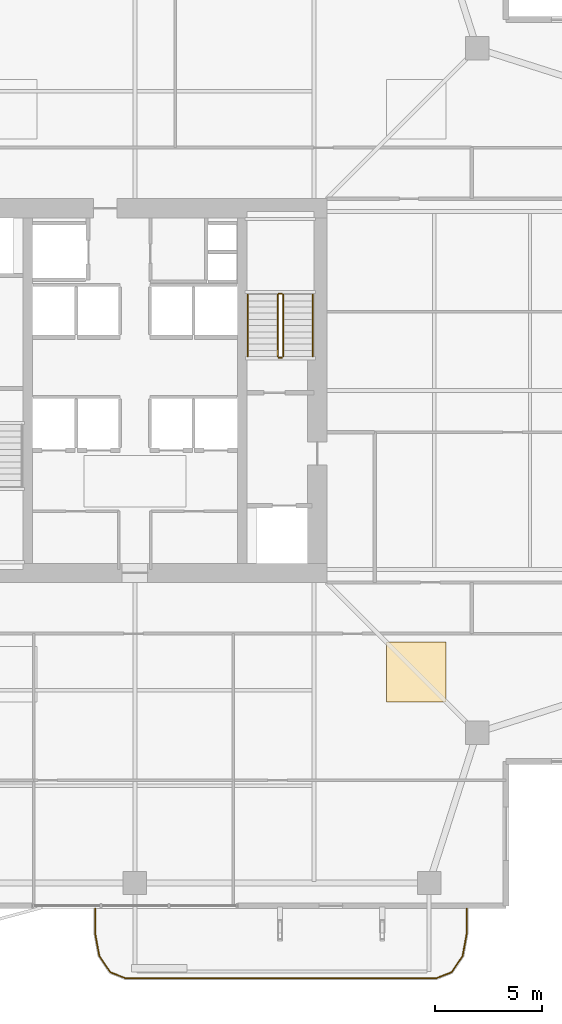
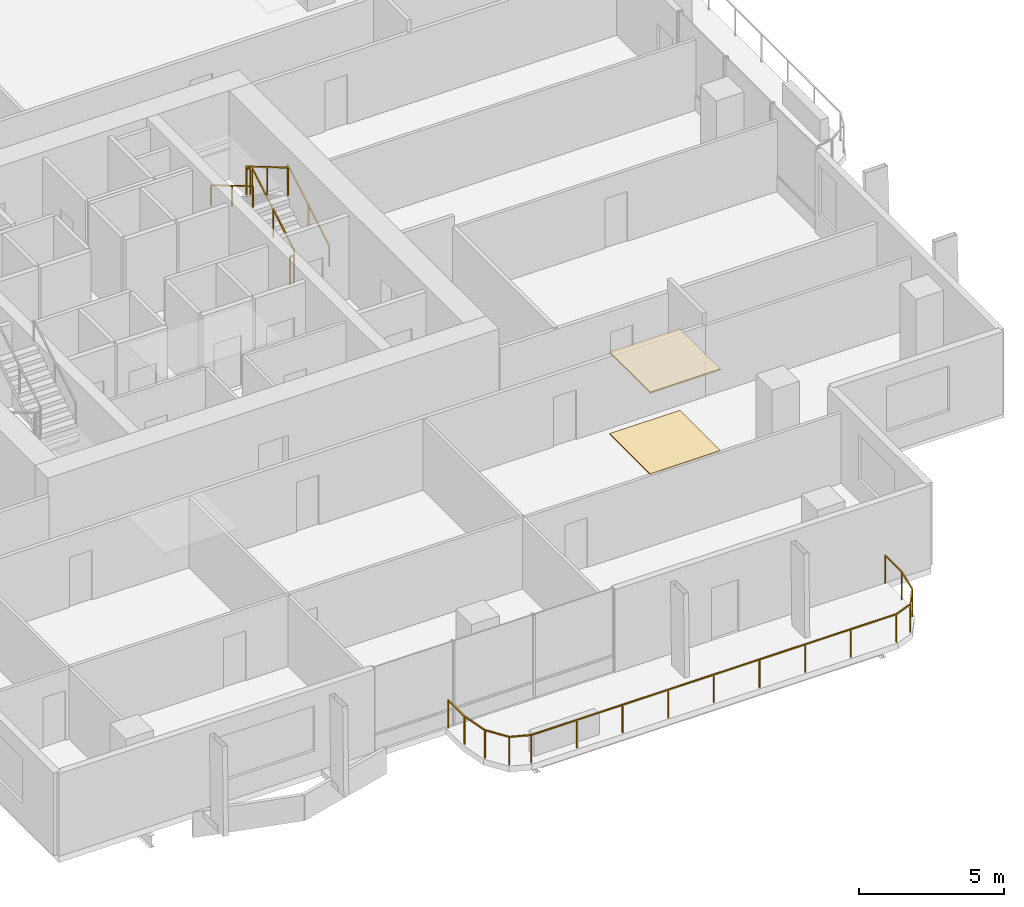
# One storey, part 23 of 24: 7 railings, 2 coverings.
"""IFC4 building model written with IfcOpenShell, lengths in metres."""

from ifc_helpers import new_model, si_unit, direction, frame, origin, origin_2d, place, context, subcontext, project, spatial, polyline, rectangle, outline, extrude, material, layer, layer_set, type_object, element, save


model = new_model("IFC4")

# Units and contexts
model_context = context("Model", 3, precision=1e-05, world=origin(), true_north=direction((0.0, 1.0)))
body_context = subcontext(model_context, "Body", "Model", "MODEL_VIEW")
ifc_project = project(units=[si_unit("LENGTHUNIT", "METRE"), si_unit("AREAUNIT", "SQUARE_METRE"), si_unit("VOLUMEUNIT", "CUBIC_METRE"), si_unit("PLANEANGLEUNIT", "RADIAN"), si_unit("MASSUNIT", "GRAM", prefix="KILO")], contexts=[model_context])

# Site, building, storey
site_placement = place(None, origin())
site = spatial("IfcSite", under=ifc_project, at=site_placement, CompositionType="ELEMENT")
building_placement = place(site_placement, origin())
building = spatial("IfcBuilding", under=site, at=building_placement, Name="Belovzor Exchange Tower", CompositionType="ELEMENT")
storey_placement = place(building_placement, frame((0.0, 0.0, 168.300048828125)))
storey = spatial("IfcBuildingStorey", under=building, at=storey_placement, Name="L41", CompositionType="ELEMENT", Elevation=168.300048828125)

# Railings
ifc_material_1 = material(Name="Stainless Steel Grade 304", Category="steel")
railing_type_1 = type_object("IfcRailingType", Name="Brushed Stainless Steel Stair Handrail 900", PredefinedType="HANDRAIL", material=ifc_material_1)
railing_1_placement = place(storey_placement, frame((37.14990234375, 30.39990234375, 0.17041015625)))
element("IfcRailing", 1, at=railing_1_placement, inside=storey, type_object=railing_type_1, Name="L41 ST-2 stair handrail 1", PredefinedType="HANDRAIL", context=body_context, shape_type="SweptSolid", body=[
    extrude(rectangle(XDim=0.048095703125, YDim=0.048095703125, at=origin_2d()), frame((0.0, 0.0, 0.8759765625), z_axis=(0.0, 0.862113265706, 0.506715617574), x_axis=(-1.0, 0.0, 0.0)), (0.0, 0.0, 1.0), 3.364013671875),
    extrude(rectangle(XDim=0.0419921875, YDim=0.0419921875, at=origin_2d()), origin(), (0.0, 0.0, 1.0), 0.851806640625),
    extrude(rectangle(XDim=0.0419921875, YDim=0.0419921875, at=origin_2d()), frame((0.0, 1.4501953125, 0.852294921875)), (0.0, 0.0, 1.0), 0.851806640625),
    extrude(rectangle(XDim=0.0419921875, YDim=0.0419921875, at=origin_2d()), frame((0.0, 2.900146484375, 1.70458984375)), (0.0, 0.0, 1.0), 0.851806640625),
])
railing_2_placement = place(storey_placement, frame((34.10009765625, 33.300048828125, 2.04541015625)))
element("IfcRailing", 2, at=railing_2_placement, inside=storey, type_object=railing_type_1, Name="L41 ST-2 stair handrail 2", PredefinedType="HANDRAIL", context=body_context, shape_type="SweptSolid", body=[
    extrude(rectangle(XDim=0.048095703125, YDim=0.048095703125, at=origin_2d()), frame((0.0, 0.0, 0.8759765625), z_axis=(0.0, -0.862113265706, 0.506715617574), x_axis=(1.0, 0.0, 0.0)), (0.0, 0.0, 1.0), 3.364013671875),
    extrude(rectangle(XDim=0.0419921875, YDim=0.0419921875, at=origin_2d()), origin(), (0.0, 0.0, 1.0), 0.851806640625),
    extrude(rectangle(XDim=0.0419921875, YDim=0.0419921875, at=origin_2d()), frame((0.0, -1.4501953125, 0.852294921875)), (0.0, 0.0, 1.0), 0.851806640625),
    extrude(rectangle(XDim=0.0419921875, YDim=0.0419921875, at=origin_2d()), frame((0.0, -2.900146484375, 1.70458984375)), (0.0, 0.0, 1.0), 0.851806640625),
])
ifc_material_2 = material(Name="Stainless Steel and Laminated Safety Glass", Category="steel")
railing_type_2 = type_object("IfcRailingType", Name="Laminated Glass & Stainless Steel Balcony Balustrade 1200", PredefinedType="BALUSTRADE", material=ifc_material_2)
railing_3_placement = place(storey_placement, frame((26.929931640625, 4.489990234375, 0.0)))
element("IfcRailing", 3, at=railing_3_placement, inside=storey, type_object=railing_type_2, Name="GR-1 Balcony Balustrade L41 South", PredefinedType="BALUSTRADE", context=body_context, shape_type="SweptSolid", body=[
    extrude(rectangle(XDim=0.048095703125, YDim=0.048095703125, at=origin_2d()), frame((0.0, 0.0, 1.17578125), z_axis=(0.0, -1.0, 0.0), x_axis=(1.0, 0.0, 0.0)), (0.0, 0.0, 1.0), 1.133056640625),
    extrude(rectangle(XDim=0.048095703125, YDim=0.048095703125, at=origin_2d()), frame((0.0, -1.133056640625, 1.17578125), z_axis=(0.180122719713, -0.983644145941, 0.0), x_axis=(0.983644145941, 0.180122719713, 0.0)), (0.0, 0.0, 1.0), 1.09375),
    extrude(rectangle(XDim=0.048095703125, YDim=0.048095703125, at=origin_2d()), frame((0.197021484375, -2.208984375, 1.17578125), z_axis=(0.56294695933, -0.826493025367, 0.0), x_axis=(0.826493025367, 0.56294695933, 0.0)), (0.0, 0.0, 1.0), 0.932861328125),
    extrude(rectangle(XDim=0.048095703125, YDim=0.048095703125, at=origin_2d()), frame((0.72216796875, -2.97998046875, 1.17578125), z_axis=(0.930766990125, -0.365612923861, 0.0), x_axis=(0.365612923861, 0.930766990125, 0.0)), (0.0, 0.0, 1.0), 0.765869140625),
    extrude(rectangle(XDim=0.048095703125, YDim=0.048095703125, at=origin_2d()), frame((1.43505859375, -3.260009765625, 1.17578125), z_axis=(1.0, 0.0, 0.0), x_axis=(0.0, 1.0, 0.0)), (0.0, 0.0, 1.0), 14.570068359375),
    extrude(rectangle(XDim=0.048095703125, YDim=0.048095703125, at=origin_2d()), frame((16.005126953125, -3.260009765625, 1.17578125), z_axis=(0.930766990125, 0.365612923861, 0.0), x_axis=(-0.365612923861, 0.930766990125, 0.0)), (0.0, 0.0, 1.0), 0.765869140625),
    extrude(rectangle(XDim=0.048095703125, YDim=0.048095703125, at=origin_2d()), frame((16.718017578125, -2.97998046875, 1.17578125), z_axis=(0.56294695933, 0.826493025367, 0.0), x_axis=(-0.826493025367, 0.56294695933, 0.0)), (0.0, 0.0, 1.0), 0.932861328125),
    extrude(rectangle(XDim=0.048095703125, YDim=0.048095703125, at=origin_2d()), frame((17.2431640625, -2.208984375, 1.17578125), z_axis=(0.180122719713, 0.983644145941, 0.0), x_axis=(-0.983644145941, 0.180122719713, 0.0)), (0.0, 0.0, 1.0), 1.09375),
    extrude(rectangle(XDim=0.048095703125, YDim=0.048095703125, at=origin_2d()), frame((17.440185546875, -1.133056640625, 1.17578125), z_axis=(0.0, 1.0, 0.0), x_axis=(-1.0, 0.0, 0.0)), (0.0, 0.0, 1.0), 1.133056640625),
    extrude(rectangle(XDim=0.0419921875, YDim=0.0419921875, at=origin_2d()), origin(), (0.0, 0.0, 1.0), 1.15185546875),
    extrude(rectangle(XDim=0.0419921875, YDim=0.0419921875, at=origin_2d()), frame((0.0, -1.133056640625, 0.0)), (0.0, 0.0, 1.0), 1.15185546875),
    extrude(rectangle(XDim=0.0419921875, YDim=0.0419921875, at=origin_2d()), frame((0.197021484375, -2.208984375, 0.0)), (0.0, 0.0, 1.0), 1.15185546875),
    extrude(rectangle(XDim=0.0419921875, YDim=0.0419921875, at=origin_2d()), frame((0.72216796875, -2.97998046875, 0.0)), (0.0, 0.0, 1.0), 1.15185546875),
    extrude(rectangle(XDim=0.0419921875, YDim=0.0419921875, at=origin_2d()), frame((1.43505859375, -3.260009765625, 0.0)), (0.0, 0.0, 1.0), 1.15185546875),
    extrude(rectangle(XDim=0.0419921875, YDim=0.0419921875, at=origin_2d()), frame((3.25634765625, -3.260009765625, 0.0)), (0.0, 0.0, 1.0), 1.15185546875),
    extrude(rectangle(XDim=0.0419921875, YDim=0.0419921875, at=origin_2d()), frame((5.07763671875, -3.260009765625, 0.0)), (0.0, 0.0, 1.0), 1.15185546875),
    extrude(rectangle(XDim=0.0419921875, YDim=0.0419921875, at=origin_2d()), frame((6.89892578125, -3.260009765625, 0.0)), (0.0, 0.0, 1.0), 1.15185546875),
    extrude(rectangle(XDim=0.0419921875, YDim=0.0419921875, at=origin_2d()), frame((8.72021484375, -3.260009765625, 0.0)), (0.0, 0.0, 1.0), 1.15185546875),
    extrude(rectangle(XDim=0.0419921875, YDim=0.0419921875, at=origin_2d()), frame((10.541259765625, -3.260009765625, 0.0)), (0.0, 0.0, 1.0), 1.15185546875),
    extrude(rectangle(XDim=0.0419921875, YDim=0.0419921875, at=origin_2d()), frame((12.362548828125, -3.260009765625, 0.0)), (0.0, 0.0, 1.0), 1.15185546875),
    extrude(rectangle(XDim=0.0419921875, YDim=0.0419921875, at=origin_2d()), frame((14.183837890625, -3.260009765625, 0.0)), (0.0, 0.0, 1.0), 1.15185546875),
    extrude(rectangle(XDim=0.0419921875, YDim=0.0419921875, at=origin_2d()), frame((16.005126953125, -3.260009765625, 0.0)), (0.0, 0.0, 1.0), 1.15185546875),
    extrude(rectangle(XDim=0.0419921875, YDim=0.0419921875, at=origin_2d()), frame((16.718017578125, -2.97998046875, 0.0)), (0.0, 0.0, 1.0), 1.15185546875),
    extrude(rectangle(XDim=0.0419921875, YDim=0.0419921875, at=origin_2d()), frame((17.2431640625, -2.208984375, 0.0)), (0.0, 0.0, 1.0), 1.15185546875),
    extrude(rectangle(XDim=0.0419921875, YDim=0.0419921875, at=origin_2d()), frame((17.440185546875, -1.133056640625, 0.0)), (0.0, 0.0, 1.0), 1.15185546875),
    extrude(rectangle(XDim=0.0419921875, YDim=0.0419921875, at=origin_2d()), frame((17.440185546875, 0.0, 0.0)), (0.0, 0.0, 1.0), 1.15185546875),
])
ifc_material_3 = material(Name="Steel S355", Category="steel")
railing_type_3 = type_object("IfcRailingType", Name="Painted Steel Stairwell Guardrail 1200", PredefinedType="GUARDRAIL", material=ifc_material_3)
railing_4_placement = place(storey_placement, frame((35.75, 30.39990234375, 0.17041015625)))
element("IfcRailing", 4, at=railing_4_placement, inside=storey, type_object=railing_type_3, Name="L41 ST-2 stair guard 1", PredefinedType="GUARDRAIL", context=body_context, shape_type="SweptSolid", body=[
    extrude(rectangle(XDim=0.048095703125, YDim=0.048095703125, at=origin_2d()), frame((0.0, 0.0, 1.17578125), z_axis=(0.0, 0.862113265706, 0.506715617574), x_axis=(-1.0, 0.0, 0.0)), (0.0, 0.0, 1.0), 3.364013671875),
    extrude(rectangle(XDim=0.0419921875, YDim=0.0419921875, at=origin_2d()), origin(), (0.0, 0.0, 1.0), 1.15185546875),
    extrude(rectangle(XDim=0.0419921875, YDim=0.0419921875, at=origin_2d()), frame((0.0, 1.4501953125, 0.852294921875)), (0.0, 0.0, 1.0), 1.15185546875),
    extrude(rectangle(XDim=0.0419921875, YDim=0.0419921875, at=origin_2d()), frame((0.0, 2.900146484375, 1.70458984375)), (0.0, 0.0, 1.0), 1.15185546875),
])
railing_5_placement = place(storey_placement, frame((35.699951171875, 33.35009765625, 1.875)))
element("IfcRailing", 5, at=railing_5_placement, inside=storey, type_object=railing_type_3, Name="L41 ST-2 stair guard 2", PredefinedType="GUARDRAIL", context=body_context, shape_type="SweptSolid", body=[
    extrude(rectangle(XDim=0.048095703125, YDim=0.048095703125, at=origin_2d()), frame((0.0, 0.0, 1.17578125), z_axis=(-1.0, 0.0, 0.0), x_axis=(0.0, -1.0, 0.0)), (0.0, 0.0, 1.0), 0.14990234375),
    extrude(rectangle(XDim=0.0419921875, YDim=0.0419921875, at=origin_2d()), origin(), (0.0, 0.0, 1.0), 1.15185546875),
    extrude(rectangle(XDim=0.0419921875, YDim=0.0419921875, at=origin_2d()), frame((-0.14990234375, 0.0, 0.0)), (0.0, 0.0, 1.0), 1.15185546875),
])
railing_6_placement = place(storey_placement, frame((35.5, 33.300048828125, 2.04541015625)))
element("IfcRailing", 6, at=railing_6_placement, inside=storey, type_object=railing_type_3, Name="L41 ST-2 stair guard 3", PredefinedType="GUARDRAIL", context=body_context, shape_type="SweptSolid", body=[
    extrude(rectangle(XDim=0.048095703125, YDim=0.048095703125, at=origin_2d()), frame((0.0, 0.0, 1.17578125), z_axis=(0.0, -0.862113265706, 0.506715617574), x_axis=(1.0, 0.0, 0.0)), (0.0, 0.0, 1.0), 3.364013671875),
    extrude(rectangle(XDim=0.0419921875, YDim=0.0419921875, at=origin_2d()), origin(), (0.0, 0.0, 1.0), 1.15185546875),
    extrude(rectangle(XDim=0.0419921875, YDim=0.0419921875, at=origin_2d()), frame((0.0, -1.4501953125, 0.852294921875)), (0.0, 0.0, 1.0), 1.15185546875),
    extrude(rectangle(XDim=0.0419921875, YDim=0.0419921875, at=origin_2d()), frame((0.0, -2.900146484375, 1.70458984375)), (0.0, 0.0, 1.0), 1.15185546875),
])
railing_7_placement = place(storey_placement, frame((35.699951171875, 30.35009765625, 0.0)))
element("IfcRailing", 7, at=railing_7_placement, inside=storey, type_object=railing_type_3, Name="L41 ST-2 stair guard 4", PredefinedType="GUARDRAIL", context=body_context, shape_type="SweptSolid", body=[
    extrude(rectangle(XDim=0.048095703125, YDim=0.048095703125, at=origin_2d()), frame((0.0, 0.0, 1.17578125), z_axis=(-1.0, 0.0, 0.0), x_axis=(0.0, -1.0, 0.0)), (0.0, 0.0, 1.0), 0.14990234375),
    extrude(rectangle(XDim=0.0419921875, YDim=0.0419921875, at=origin_2d()), origin(), (0.0, 0.0, 1.0), 1.15185546875),
    extrude(rectangle(XDim=0.0419921875, YDim=0.0419921875, at=origin_2d()), frame((-0.14990234375, 0.0, 0.0)), (0.0, 0.0, 1.0), 1.15185546875),
])

# Coverings
ifc_material_4 = material(Name="Perforated Powder-Coated Aluminium", Category="aluminium")
ifc_layer_1 = layer(ifc_material_4, 0.06005859375)
ifc_layer_set_1 = layer_set([ifc_layer_1], Name="Perforated Powder-Coated Aluminium")
covering_type_1 = type_object("IfcCoveringType", Name="Perforated Acoustic Metal Tile Suspended Ceiling 60", PredefinedType="CEILING", material=ifc_layer_set_1)
covering_1_placement = place(storey_placement, frame((0.0, 0.0, 3.43505859375)))
element("IfcCovering", 8, at=covering_1_placement, inside=storey, type_object=covering_type_1, Name="CLG-AC60 Suspended Ceiling CLG-L41-Z1", PredefinedType="CEILING", context=body_context, shape_type="SweptSolid", body=[
    extrude(outline(polyline([(40.60009765625, 14.199951171875), (43.39990234375, 14.199951171875), (43.39990234375, 17.0), (40.60009765625, 17.0), (40.60009765625, 14.199951171875)])), origin(), (0.0, 0.0, 1.0), 0.059814453125),
])
ifc_material_5 = material(Name="Polished Natural Granite Tile", Category="masonry")
ifc_layer_2 = layer(ifc_material_5, 0.050048828125)
ifc_layer_set_2 = layer_set([ifc_layer_2], Name="Polished Natural Granite Tile")
covering_type_2 = type_object("IfcCoveringType", Name="Polished Karelian Granite & Raised Access Floor Finish 50", PredefinedType="FLOORING", material=ifc_layer_set_2)
covering_2_placement = place(storey_placement, origin())
element("IfcCovering", 9, at=covering_2_placement, inside=storey, type_object=covering_type_2, Name="FLR-GR50 Floor Finish FLR-L41-Z1", PredefinedType="FLOORING", context=body_context, shape_type="SweptSolid", body=[
    extrude(outline(polyline([(40.60009765625, 14.199951171875), (43.39990234375, 14.199951171875), (43.39990234375, 17.0), (40.60009765625, 17.0), (40.60009765625, 14.199951171875)])), origin(), (0.0, 0.0, 1.0), 0.050048828125),
])

save(model, "model.ifc")
